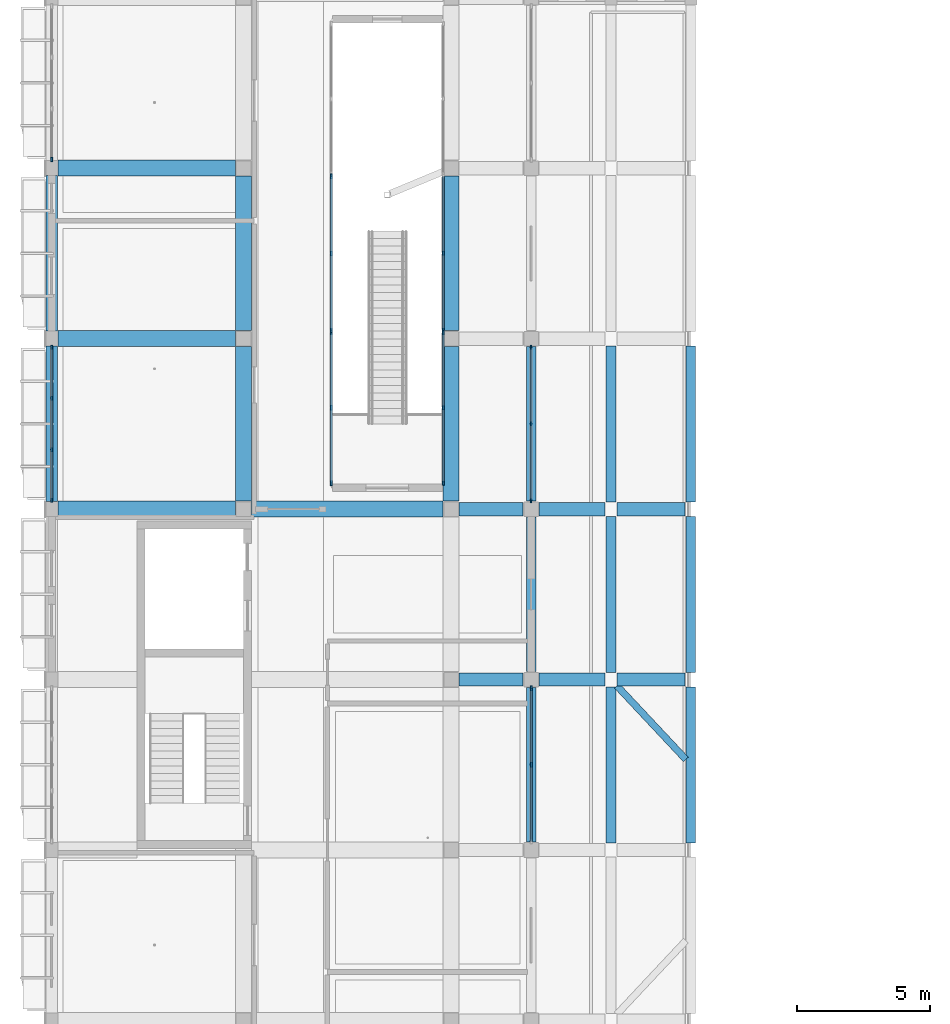
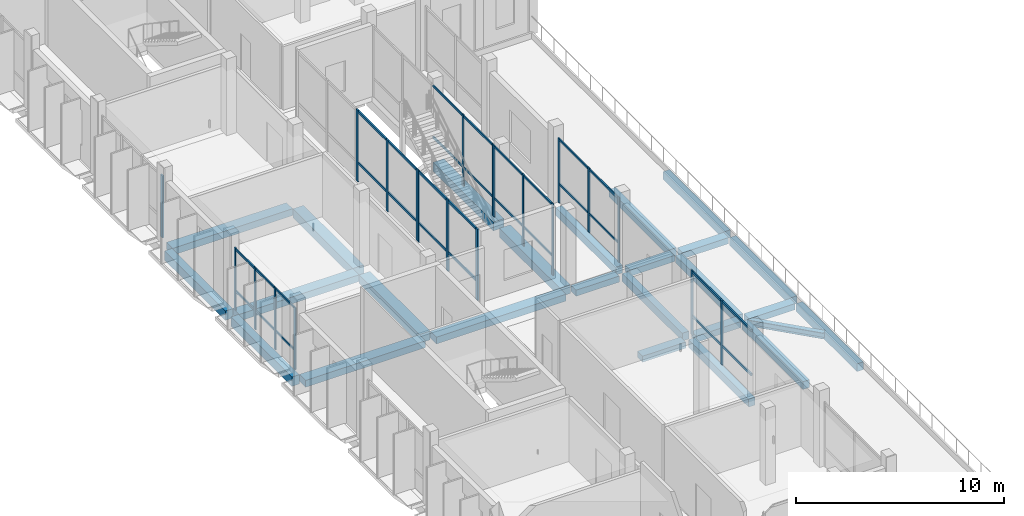
# One storey, part 19 of 95: 35 members, 26 beams, 8 elements without a shape of their own.
"""IFC4 building model written with IfcOpenShell, lengths in metres."""

from ifc_helpers import new_model, si_unit, derived_unit, direction, frame, origin, origin_2d, place, context, subcontext, project, spatial, rectangle, i_section, extrude, material, material_profile, profile_set, type_object, element, aggregate, save


model = new_model("IFC4")

# Units and contexts
model_context = context("Model", 3, precision=1e-05, world=origin(), true_north=direction((0.0, 1.0)))
body_context = subcontext(model_context, "Body", "Model", "MODEL_VIEW")
ifc_project = project(units=[si_unit("LENGTHUNIT", "METRE"), si_unit("AREAUNIT", "SQUARE_METRE"), si_unit("VOLUMEUNIT", "CUBIC_METRE"), si_unit("PLANEANGLEUNIT", "RADIAN"), si_unit("MASSUNIT", "GRAM", prefix="KILO"), derived_unit("THERMALTRANSMITTANCEUNIT", [(si_unit("POWERUNIT", "WATT"), 1), (si_unit("LENGTHUNIT", "METRE"), -2), (si_unit("THERMODYNAMICTEMPERATUREUNIT", "KELVIN"), -1)])], contexts=[model_context])

# Site, building, storey
site_placement = place(None, origin())
site = spatial("IfcSite", under=ifc_project, at=site_placement, CompositionType="ELEMENT")
building_placement = place(site_placement, origin())
building = spatial("IfcBuilding", under=site, at=building_placement, Name="Braskholm Square Health Centre", CompositionType="ELEMENT")
storey_placement = place(building_placement, frame((0.0, 0.0, 4.800048828125)))
storey = spatial("IfcBuildingStorey", under=building, at=storey_placement, Name="L02", CompositionType="ELEMENT", Elevation=4.800048828125)

# Curtain wall, members
ifc_material_1 = material(Name="Low-E triple insulating glass (VLT 0.64)", Category="glass")
curtain_wall_type_1 = type_object("IfcCurtainWallType", Name="UnitisedCurtainWall6200x3650", PredefinedType="NOTDEFINED", material=ifc_material_1)
curtain_wall_1_placement = place(storey_placement, origin())
curtain_wall_1 = element("IfcCurtainWall", 1, at=curtain_wall_1_placement, inside=storey, type_object=curtain_wall_type_1, Name="West Outer unitised curtain wall CW-L02-0008", PredefinedType="NOTDEFINED")
ifc_material_2 = material(Name="Architectural bronze anodised aluminium", Category="aluminium")
ifc_material_profile_1 = material_profile(ifc_material_2, rectangle(XDim=0.06494140625, YDim=0.14990234375, at=origin_2d()), Name="ALU-65X150")
ifc_profile_set_1 = profile_set([ifc_material_profile_1], Name="Architectural bronze anodised aluminium")
member_type_1 = type_object("IfcMemberType", Name="CurtainWallMullion65x150", PredefinedType="MULLION", material=ifc_profile_set_1)
member_1_placement = place(storey_placement, frame((4.199951171875, 35.875, 0.0), z_axis=(0.0, 0.0, 1.0), x_axis=(1.0, 0.0, 0.0)))
member_1 = element("IfcMember", 2, at=member_1_placement, type_object=member_type_1, Name="CW-L02-0008 vertical mullion 1", PredefinedType="MULLION", context=body_context, shape_type="SweptSolid", body=[
    extrude(rectangle(XDim=0.06494140625, YDim=0.14990234375, at=origin_2d()), origin(), (0.0, 0.0, 1.0), 3.64990234375),
])
member_2_placement = place(storey_placement, frame((4.199951171875, 33.969970703125, 0.0), z_axis=(0.0, 0.0, 1.0), x_axis=(1.0, 0.0, 0.0)))
member_2 = element("IfcMember", 3, at=member_2_placement, type_object=member_type_1, Name="CW-L02-0008 vertical mullion 2", PredefinedType="MULLION", context=body_context, shape_type="SweptSolid", body=[
    extrude(rectangle(XDim=0.06494140625, YDim=0.14990234375, at=origin_2d()), origin(), (0.0, 0.0, 1.0), 3.64990234375),
])
member_3_placement = place(storey_placement, frame((4.199951171875, 32.030029296875, 0.0), z_axis=(0.0, 0.0, 1.0), x_axis=(1.0, 0.0, 0.0)))
member_3 = element("IfcMember", 4, at=member_3_placement, type_object=member_type_1, Name="CW-L02-0008 vertical mullion 3", PredefinedType="MULLION", context=body_context, shape_type="SweptSolid", body=[
    extrude(rectangle(XDim=0.06494140625, YDim=0.14990234375, at=origin_2d()), origin(), (0.0, 0.0, 1.0), 3.64990234375),
])
member_4_placement = place(storey_placement, frame((4.199951171875, 30.125, 0.0), z_axis=(0.0, 0.0, 1.0), x_axis=(1.0, 0.0, 0.0)))
member_4 = element("IfcMember", 5, at=member_4_placement, type_object=member_type_1, Name="CW-L02-0008 vertical mullion 4", PredefinedType="MULLION", context=body_context, shape_type="SweptSolid", body=[
    extrude(rectangle(XDim=0.06494140625, YDim=0.14990234375, at=origin_2d()), origin(), (0.0, 0.0, 1.0), 3.64990234375),
])

curtain_wall_type_2 = type_object("IfcCurtainWallType", Name="UnitisedCurtainWall6200x3800", PredefinedType="NOTDEFINED", material=ifc_material_1)
curtain_wall_2_placement = place(storey_placement, origin())
curtain_wall_2 = element("IfcCurtainWall", 6, at=curtain_wall_2_placement, inside=storey, type_object=curtain_wall_type_2, Name="West Valley unitised curtain wall CW-L02-0086", PredefinedType="NOTDEFINED")
member_5_placement = place(storey_placement, frame((22.199951171875, 30.1201171875, 0.0), z_axis=(0.0, 0.0, 1.0), x_axis=(1.0, 0.0, 0.0)))
member_5 = element("IfcMember", 7, at=member_5_placement, type_object=member_type_1, Name="CW-L02-0086 vertical mullion 1", PredefinedType="MULLION", context=body_context, shape_type="SweptSolid", body=[
    extrude(rectangle(XDim=0.06494140625, YDim=0.14990234375, at=origin_2d()), origin(), (0.0, 0.0, 1.0), 3.7900390625),
])
member_6_placement = place(storey_placement, frame((22.199951171875, 33.0, 0.0), z_axis=(0.0, 0.0, 1.0), x_axis=(1.0, 0.0, 0.0)))
member_6 = element("IfcMember", 8, at=member_6_placement, type_object=member_type_1, Name="CW-L02-0086 vertical mullion 2", PredefinedType="MULLION", context=body_context, shape_type="SweptSolid", body=[
    extrude(rectangle(XDim=0.06494140625, YDim=0.14990234375, at=origin_2d()), origin(), (0.0, 0.0, 1.0), 3.7900390625),
])
member_7_placement = place(storey_placement, frame((22.199951171875, 35.8798828125, 0.0), z_axis=(0.0, 0.0, 1.0), x_axis=(1.0, 0.0, 0.0)))
member_7 = element("IfcMember", 9, at=member_7_placement, type_object=member_type_1, Name="CW-L02-0086 vertical mullion 3", PredefinedType="MULLION", context=body_context, shape_type="SweptSolid", body=[
    extrude(rectangle(XDim=0.06494140625, YDim=0.14990234375, at=origin_2d()), origin(), (0.0, 0.0, 1.0), 3.7900390625),
])

curtain_wall_type_3 = type_object("IfcCurtainWallType", Name="UnitisedCurtainWall5400x4100", PredefinedType="NOTDEFINED", material=ifc_material_1)
curtain_wall_3_placement = place(storey_placement, origin())
curtain_wall_3 = element("IfcCurtainWall", 10, at=curtain_wall_3_placement, inside=storey, type_object=curtain_wall_type_3, Name="WC1 Court E unitised curtain wall CW-L02-0256", PredefinedType="NOTDEFINED")
member_8_placement = place(storey_placement, frame((18.89990234375, 36.427734375, 0.0), z_axis=(0.0, 0.0, 1.0), x_axis=(1.0, 0.0, 0.0)))
member_8 = element("IfcMember", 11, at=member_8_placement, type_object=member_type_1, Name="CW-L02-0256 vertical mullion 1", PredefinedType="MULLION", context=body_context, shape_type="SweptSolid", body=[
    extrude(rectangle(XDim=0.06494140625, YDim=0.14990234375, at=origin_2d()), origin(), (0.0, 0.0, 1.0), 4.199951171875),
])
member_9_placement = place(storey_placement, frame((18.89990234375, 33.60107421875, 0.0), z_axis=(0.0, 0.0, 1.0), x_axis=(1.0, 0.0, 0.0)))
member_9 = element("IfcMember", 12, at=member_9_placement, type_object=member_type_1, Name="CW-L02-0256 vertical mullion 2", PredefinedType="MULLION", context=body_context, shape_type="SweptSolid", body=[
    extrude(rectangle(XDim=0.06494140625, YDim=0.14990234375, at=origin_2d()), origin(), (0.0, 0.0, 1.0), 4.199951171875),
])
member_10_placement = place(storey_placement, frame((18.89990234375, 30.7744140625, 0.0), z_axis=(0.0, 0.0, 1.0), x_axis=(1.0, 0.0, 0.0)))
member_10 = element("IfcMember", 13, at=member_10_placement, type_object=member_type_1, Name="CW-L02-0256 vertical mullion 3", PredefinedType="MULLION", context=body_context, shape_type="SweptSolid", body=[
    extrude(rectangle(XDim=0.06494140625, YDim=0.14990234375, at=origin_2d()), origin(), (0.0, 0.0, 1.0), 4.199951171875),
])

curtain_wall_type_4 = type_object("IfcCurtainWallType", Name="UnitisedCurtainWall6200x4100", PredefinedType="NOTDEFINED", material=ifc_material_1)
curtain_wall_4_placement = place(storey_placement, origin())
curtain_wall_4 = element("IfcCurtainWall", 14, at=curtain_wall_4_placement, inside=storey, type_object=curtain_wall_type_4, Name="WC1 Court E unitised curtain wall CW-L02-0258", PredefinedType="NOTDEFINED")
member_11_placement = place(storey_placement, frame((18.89990234375, 39.39990234375, 0.0), z_axis=(0.0, 0.0, 1.0), x_axis=(1.0, 0.0, 0.0)))
member_11 = element("IfcMember", 15, at=member_11_placement, type_object=member_type_1, Name="CW-L02-0258 vertical mullion 2", PredefinedType="MULLION", context=body_context, shape_type="SweptSolid", body=[
    extrude(rectangle(XDim=0.06494140625, YDim=0.14990234375, at=origin_2d()), origin(), (0.0, 0.0, 1.0), 4.199951171875),
])
member_12_placement = place(storey_placement, frame((18.89990234375, 36.507080078125, 0.0), z_axis=(0.0, 0.0, 1.0), x_axis=(1.0, 0.0, 0.0)))
member_12 = element("IfcMember", 16, at=member_12_placement, type_object=member_type_1, Name="CW-L02-0258 vertical mullion 3", PredefinedType="MULLION", context=body_context, shape_type="SweptSolid", body=[
    extrude(rectangle(XDim=0.06494140625, YDim=0.14990234375, at=origin_2d()), origin(), (0.0, 0.0, 1.0), 4.199951171875),
])

# Curtain wall, member
curtain_wall_5_placement = place(storey_placement, origin())
curtain_wall_5 = element("IfcCurtainWall", 17, at=curtain_wall_5_placement, inside=storey, type_object=curtain_wall_type_1, Name="West Outer unitised curtain wall CW-L02-0009", PredefinedType="NOTDEFINED")
ifc_material_profile_2 = material_profile(ifc_material_2, rectangle(XDim=0.074951171875, YDim=0.179931640625, at=origin_2d()), Name="ALU-75X180")
ifc_profile_set_2 = profile_set([ifc_material_profile_2], Name="Architectural bronze anodised aluminium")
member_type_2 = type_object("IfcMemberType", Name="CurtainWallMullion75x180", PredefinedType="MULLION", material=ifc_profile_set_2)
member_13_placement = place(storey_placement, frame((4.199951171875, 42.9248046875, 0.0), z_axis=(0.0, 0.0, 1.0), x_axis=(1.0, 0.0, 0.0)))
member_13 = element("IfcMember", 18, at=member_13_placement, type_object=member_type_2, Name="CW-L02-0009 vertical mullion 4", PredefinedType="MULLION", context=body_context, shape_type="SweptSolid", body=[
    extrude(rectangle(XDim=0.074951171875, YDim=0.179931640625, at=origin_2d()), origin(), (0.0, 0.0, 1.0), 3.64990234375),
])
aggregate(curtain_wall_5, [member_13])

# Curtain wall, members
curtain_wall_6_placement = place(storey_placement, origin())
curtain_wall_6 = element("IfcCurtainWall", 19, at=curtain_wall_6_placement, inside=storey, type_object=curtain_wall_type_2, Name="West Valley unitised curtain wall CW-L02-0085", PredefinedType="NOTDEFINED")
member_14_placement = place(storey_placement, frame((22.199951171875, 20.199951171875, 0.0), z_axis=(0.0, 0.0, 1.0), x_axis=(1.0, 0.0, 0.0)))
member_14 = element("IfcMember", 20, at=member_14_placement, type_object=member_type_2, Name="CW-L02-0085 vertical mullion 2", PredefinedType="MULLION", context=body_context, shape_type="SweptSolid", body=[
    extrude(rectangle(XDim=0.074951171875, YDim=0.179931640625, at=origin_2d()), origin(), (0.0, 0.0, 1.0), 3.7900390625),
])
member_15_placement = place(storey_placement, frame((22.199951171875, 23.080078125, 0.0), z_axis=(0.0, 0.0, 1.0), x_axis=(1.0, 0.0, 0.0)))
member_15 = element("IfcMember", 21, at=member_15_placement, type_object=member_type_2, Name="CW-L02-0085 vertical mullion 3", PredefinedType="MULLION", context=body_context, shape_type="SweptSolid", body=[
    extrude(rectangle(XDim=0.074951171875, YDim=0.179931640625, at=origin_2d()), origin(), (0.0, 0.0, 1.0), 3.7900390625),
])

curtain_wall_7_placement = place(storey_placement, origin())
curtain_wall_7 = element("IfcCurtainWall", 22, at=curtain_wall_7_placement, inside=storey, type_object=curtain_wall_type_3, Name="WC1 Court W unitised curtain wall CW-L02-0255", PredefinedType="NOTDEFINED")
member_16_placement = place(storey_placement, frame((14.699951171875, 30.7744140625, 0.0), z_axis=(0.0, 0.0, 1.0), x_axis=(1.0, 0.0, 0.0)))
member_16 = element("IfcMember", 23, at=member_16_placement, type_object=member_type_2, Name="CW-L02-0255 vertical mullion 1", PredefinedType="MULLION", context=body_context, shape_type="SweptSolid", body=[
    extrude(rectangle(XDim=0.074951171875, YDim=0.179931640625, at=origin_2d()), origin(), (0.0, 0.0, 1.0), 4.199951171875),
])
member_17_placement = place(storey_placement, frame((14.699951171875, 33.60107421875, 0.0), z_axis=(0.0, 0.0, 1.0), x_axis=(1.0, 0.0, 0.0)))
member_17 = element("IfcMember", 24, at=member_17_placement, type_object=member_type_2, Name="CW-L02-0255 vertical mullion 2", PredefinedType="MULLION", context=body_context, shape_type="SweptSolid", body=[
    extrude(rectangle(XDim=0.074951171875, YDim=0.179931640625, at=origin_2d()), origin(), (0.0, 0.0, 1.0), 4.199951171875),
])
member_18_placement = place(storey_placement, frame((14.699951171875, 36.427734375, 0.0), z_axis=(0.0, 0.0, 1.0), x_axis=(1.0, 0.0, 0.0)))
member_18 = element("IfcMember", 25, at=member_18_placement, type_object=member_type_2, Name="CW-L02-0255 vertical mullion 3", PredefinedType="MULLION", context=body_context, shape_type="SweptSolid", body=[
    extrude(rectangle(XDim=0.074951171875, YDim=0.179931640625, at=origin_2d()), origin(), (0.0, 0.0, 1.0), 4.199951171875),
])

curtain_wall_8_placement = place(storey_placement, origin())
curtain_wall_8 = element("IfcCurtainWall", 26, at=curtain_wall_8_placement, inside=storey, type_object=curtain_wall_type_4, Name="WC1 Court W unitised curtain wall CW-L02-0257", PredefinedType="NOTDEFINED")
member_19_placement = place(storey_placement, frame((14.699951171875, 36.507080078125, 0.0), z_axis=(0.0, 0.0, 1.0), x_axis=(1.0, 0.0, 0.0)))
member_19 = element("IfcMember", 27, at=member_19_placement, type_object=member_type_2, Name="CW-L02-0257 vertical mullion 1", PredefinedType="MULLION", context=body_context, shape_type="SweptSolid", body=[
    extrude(rectangle(XDim=0.074951171875, YDim=0.179931640625, at=origin_2d()), origin(), (0.0, 0.0, 1.0), 4.199951171875),
])
member_20_placement = place(storey_placement, frame((14.699951171875, 39.39990234375, 0.0), z_axis=(0.0, 0.0, 1.0), x_axis=(1.0, 0.0, 0.0)))
member_20 = element("IfcMember", 28, at=member_20_placement, type_object=member_type_2, Name="CW-L02-0257 vertical mullion 2", PredefinedType="MULLION", context=body_context, shape_type="SweptSolid", body=[
    extrude(rectangle(XDim=0.074951171875, YDim=0.179931640625, at=origin_2d()), origin(), (0.0, 0.0, 1.0), 4.199951171875),
])
member_21_placement = place(storey_placement, frame((14.699951171875, 42.29296875, 0.0), z_axis=(0.0, 0.0, 1.0), x_axis=(1.0, 0.0, 0.0)))
member_21 = element("IfcMember", 29, at=member_21_placement, type_object=member_type_2, Name="CW-L02-0257 vertical mullion 3", PredefinedType="MULLION", context=body_context, shape_type="SweptSolid", body=[
    extrude(rectangle(XDim=0.074951171875, YDim=0.179931640625, at=origin_2d()), origin(), (0.0, 0.0, 1.0), 4.199951171875),
])

# Member
ifc_material_profile_3 = material_profile(ifc_material_2, rectangle(XDim=0.06494140625, YDim=0.1201171875, at=origin_2d()), Name="ALU-65X120")
ifc_profile_set_3 = profile_set([ifc_material_profile_3], Name="Architectural bronze anodised aluminium")
member_type_3 = type_object("IfcMemberType", Name="CurtainWallTransom65x120", PredefinedType="USERDEFINED", material=ifc_profile_set_3)
member_22_placement = place(storey_placement, frame((4.199951171875, 35.864990234375, 1.119873046875), z_axis=(0.0, -1.0, 0.0), x_axis=(1.0, 0.0, 0.0)))
member_22 = element("IfcMember", 30, at=member_22_placement, type_object=member_type_3, Name="CW-L02-0008 horizontal transom 1", ObjectType="TRANSOM", PredefinedType="USERDEFINED", context=body_context, shape_type="SweptSolid", body=[
    extrude(rectangle(XDim=0.06494140625, YDim=0.1201171875, at=origin_2d()), origin(), (0.0, 0.0, 1.0), 5.72998046875),
])

member_23_placement = place(storey_placement, frame((4.199951171875, 35.864990234375, 3.579833984375), z_axis=(0.0, -1.0, 0.0), x_axis=(1.0, 0.0, 0.0)))
member_23 = element("IfcMember", 31, at=member_23_placement, type_object=member_type_3, Name="CW-L02-0008 horizontal transom 2", ObjectType="TRANSOM", PredefinedType="USERDEFINED", context=body_context, shape_type="SweptSolid", body=[
    extrude(rectangle(XDim=0.06494140625, YDim=0.1201171875, at=origin_2d()), origin(), (0.0, 0.0, 1.0), 5.72998046875),
])

aggregate(curtain_wall_1, [member_1, member_2, member_3, member_4, member_22, member_23])

member_24_placement = place(storey_placement, frame((22.199951171875, 30.1298828125, 1.119873046875), z_axis=(0.0, 1.0, 0.0), x_axis=(-1.0, 0.0, 0.0)))
member_24 = element("IfcMember", 32, at=member_24_placement, type_object=member_type_3, Name="CW-L02-0086 horizontal transom 1", ObjectType="TRANSOM", PredefinedType="USERDEFINED", context=body_context, shape_type="SweptSolid", body=[
    extrude(rectangle(XDim=0.06494140625, YDim=0.1201171875, at=origin_2d()), origin(), (0.0, 0.0, 1.0), 5.740234375),
])

member_25_placement = place(storey_placement, frame((22.199951171875, 30.1298828125, 3.719970703125), z_axis=(0.0, 1.0, 0.0), x_axis=(-1.0, 0.0, 0.0)))
member_25 = element("IfcMember", 33, at=member_25_placement, type_object=member_type_3, Name="CW-L02-0086 horizontal transom 2", ObjectType="TRANSOM", PredefinedType="USERDEFINED", context=body_context, shape_type="SweptSolid", body=[
    extrude(rectangle(XDim=0.06494140625, YDim=0.1201171875, at=origin_2d()), origin(), (0.0, 0.0, 1.0), 5.740234375),
])

aggregate(curtain_wall_2, [member_5, member_6, member_7, member_24, member_25])

member_26_placement = place(storey_placement, frame((18.89990234375, 36.4169921875, 1.119873046875), z_axis=(0.0, -1.0, 0.0), x_axis=(1.0, 0.0, 0.0)))
member_26 = element("IfcMember", 34, at=member_26_placement, type_object=member_type_3, Name="CW-L02-0256 horizontal transom 1", ObjectType="TRANSOM", PredefinedType="USERDEFINED", context=body_context, shape_type="SweptSolid", body=[
    extrude(rectangle(XDim=0.06494140625, YDim=0.1201171875, at=origin_2d()), origin(), (0.0, 0.0, 1.0), 5.632080078125),
])

member_27_placement = place(storey_placement, frame((18.89990234375, 36.4169921875, 4.1298828125), z_axis=(0.0, -1.0, 0.0), x_axis=(1.0, 0.0, 0.0)))
member_27 = element("IfcMember", 35, at=member_27_placement, type_object=member_type_3, Name="CW-L02-0256 horizontal transom 2", ObjectType="TRANSOM", PredefinedType="USERDEFINED", context=body_context, shape_type="SweptSolid", body=[
    extrude(rectangle(XDim=0.06494140625, YDim=0.1201171875, at=origin_2d()), origin(), (0.0, 0.0, 1.0), 5.632080078125),
])

aggregate(curtain_wall_3, [member_8, member_9, member_10, member_26, member_27])

member_28_placement = place(storey_placement, frame((18.89990234375, 42.282958984375, 1.119873046875), z_axis=(0.0, -1.0, 0.0), x_axis=(1.0, 0.0, 0.0)))
member_28 = element("IfcMember", 36, at=member_28_placement, type_object=member_type_3, Name="CW-L02-0258 horizontal transom 1", ObjectType="TRANSOM", PredefinedType="USERDEFINED", context=body_context, shape_type="SweptSolid", body=[
    extrude(rectangle(XDim=0.06494140625, YDim=0.1201171875, at=origin_2d()), origin(), (0.0, 0.0, 1.0), 5.765869140625),
])

member_29_placement = place(storey_placement, frame((18.89990234375, 42.282958984375, 4.1298828125), z_axis=(0.0, -1.0, 0.0), x_axis=(1.0, 0.0, 0.0)))
member_29 = element("IfcMember", 37, at=member_29_placement, type_object=member_type_3, Name="CW-L02-0258 horizontal transom 2", ObjectType="TRANSOM", PredefinedType="USERDEFINED", context=body_context, shape_type="SweptSolid", body=[
    extrude(rectangle(XDim=0.06494140625, YDim=0.1201171875, at=origin_2d()), origin(), (0.0, 0.0, 1.0), 5.765869140625),
])

aggregate(curtain_wall_4, [member_11, member_12, member_28, member_29])

ifc_material_profile_4 = material_profile(ifc_material_2, rectangle(XDim=0.074951171875, YDim=0.139892578125, at=origin_2d()), Name="ALU-75X140")
ifc_profile_set_4 = profile_set([ifc_material_profile_4], Name="Architectural bronze anodised aluminium")
member_type_4 = type_object("IfcMemberType", Name="CurtainWallTransom75x140", PredefinedType="USERDEFINED", material=ifc_profile_set_4)
member_30_placement = place(storey_placement, frame((22.199951171875, 17.330078125, 1.119873046875), z_axis=(0.0, 1.0, 0.0), x_axis=(-1.0, 0.0, 0.0)))
member_30 = element("IfcMember", 38, at=member_30_placement, type_object=member_type_4, Name="CW-L02-0085 horizontal transom 1", ObjectType="TRANSOM", PredefinedType="USERDEFINED", context=body_context, shape_type="SweptSolid", body=[
    extrude(rectangle(XDim=0.074951171875, YDim=0.139892578125, at=origin_2d()), origin(), (0.0, 0.0, 1.0), 5.739990234375),
])

member_31_placement = place(storey_placement, frame((22.199951171875, 17.330078125, 3.719970703125), z_axis=(0.0, 1.0, 0.0), x_axis=(-1.0, 0.0, 0.0)))
member_31 = element("IfcMember", 39, at=member_31_placement, type_object=member_type_4, Name="CW-L02-0085 horizontal transom 2", ObjectType="TRANSOM", PredefinedType="USERDEFINED", context=body_context, shape_type="SweptSolid", body=[
    extrude(rectangle(XDim=0.074951171875, YDim=0.139892578125, at=origin_2d()), origin(), (0.0, 0.0, 1.0), 5.739990234375),
])

aggregate(curtain_wall_6, [member_14, member_15, member_30, member_31])

member_32_placement = place(storey_placement, frame((14.699951171875, 30.784912109375, 1.119873046875), z_axis=(0.0, 1.0, 0.0), x_axis=(-1.0, 0.0, 0.0)))
member_32 = element("IfcMember", 40, at=member_32_placement, type_object=member_type_4, Name="CW-L02-0255 horizontal transom 1", ObjectType="TRANSOM", PredefinedType="USERDEFINED", context=body_context, shape_type="SweptSolid", body=[
    extrude(rectangle(XDim=0.074951171875, YDim=0.139892578125, at=origin_2d()), origin(), (0.0, 0.0, 1.0), 5.632080078125),
])

member_33_placement = place(storey_placement, frame((14.699951171875, 30.784912109375, 4.1298828125), z_axis=(0.0, 1.0, 0.0), x_axis=(-1.0, 0.0, 0.0)))
member_33 = element("IfcMember", 41, at=member_33_placement, type_object=member_type_4, Name="CW-L02-0255 horizontal transom 2", ObjectType="TRANSOM", PredefinedType="USERDEFINED", context=body_context, shape_type="SweptSolid", body=[
    extrude(rectangle(XDim=0.074951171875, YDim=0.139892578125, at=origin_2d()), origin(), (0.0, 0.0, 1.0), 5.632080078125),
])

aggregate(curtain_wall_7, [member_16, member_17, member_18, member_32, member_33])

member_34_placement = place(storey_placement, frame((14.699951171875, 36.51708984375, 1.119873046875), z_axis=(0.0, 1.0, 0.0), x_axis=(-1.0, 0.0, 0.0)))
member_34 = element("IfcMember", 42, at=member_34_placement, type_object=member_type_4, Name="CW-L02-0257 horizontal transom 1", ObjectType="TRANSOM", PredefinedType="USERDEFINED", context=body_context, shape_type="SweptSolid", body=[
    extrude(rectangle(XDim=0.074951171875, YDim=0.139892578125, at=origin_2d()), origin(), (0.0, 0.0, 1.0), 5.765869140625),
])

member_35_placement = place(storey_placement, frame((14.699951171875, 36.51708984375, 4.1298828125), z_axis=(0.0, 1.0, 0.0), x_axis=(-1.0, 0.0, 0.0)))
member_35 = element("IfcMember", 43, at=member_35_placement, type_object=member_type_4, Name="CW-L02-0257 horizontal transom 2", ObjectType="TRANSOM", PredefinedType="USERDEFINED", context=body_context, shape_type="SweptSolid", body=[
    extrude(rectangle(XDim=0.074951171875, YDim=0.139892578125, at=origin_2d()), origin(), (0.0, 0.0, 1.0), 5.765869140625),
])

aggregate(curtain_wall_8, [member_19, member_20, member_21, member_34, member_35])

# Beams
ifc_material_3 = material(Name="Concrete C35/45 (f'c = 35 MPa)", Category="concrete")
ifc_material_profile_5 = material_profile(ifc_material_3, rectangle(XDim=0.5, YDim=0.360107421875, at=origin_2d()), Name="RCB-500X360")
ifc_profile_set_5 = profile_set([ifc_material_profile_5], Name="Concrete C35/45 (f'c = 35 MPa)")
beam_type_1 = type_object("IfcBeamType", Name="PrimaryBandBeam500x360", PredefinedType="BEAM", material=ifc_profile_set_5)
beam_1_placement = place(storey_placement, frame((19.5, 23.39990234375, -0.56005859375), z_axis=(1.0, 0.0, 0.0), x_axis=(0.0, 1.0, 0.0)))
element("IfcBeam", 44, at=beam_1_placement, inside=storey, type_object=beam_type_1, Name="Beam 3-4/D L02", PredefinedType="BEAM", context=body_context, shape_type="SweptSolid", body=[
    extrude(rectangle(XDim=0.5, YDim=0.360107421875, at=origin_2d()), origin(), (0.0, 0.0, 1.0), 2.39990234375),
])
beam_2_placement = place(storey_placement, frame((22.5, 23.39990234375, -0.429931640625), z_axis=(1.0, 0.0, 0.0), x_axis=(0.0, 1.0, 0.0)))
element("IfcBeam", 45, at=beam_2_placement, inside=storey, type_object=beam_type_1, Name="Beam 4-5/D L02", PredefinedType="BEAM", context=body_context, shape_type="SweptSolid", body=[
    extrude(rectangle(XDim=0.5, YDim=0.360107421875, at=origin_2d()), origin(), (0.0, 0.0, 1.0), 2.47998046875),
])
beam_3_placement = place(storey_placement, frame((25.419921875, 23.39990234375, -0.429931640625), z_axis=(1.0, 0.0, 0.0), x_axis=(0.0, 1.0, 0.0)))
element("IfcBeam", 46, at=beam_3_placement, inside=storey, type_object=beam_type_1, Name="Beam 5-6/D L02", PredefinedType="BEAM", context=body_context, shape_type="SweptSolid", body=[
    extrude(rectangle(XDim=0.5, YDim=0.360107421875, at=origin_2d()), origin(), (0.0, 0.0, 1.0), 2.56005859375),
])
beam_4_placement = place(storey_placement, frame((19.5, 29.800048828125, -0.56005859375), z_axis=(1.0, 0.0, 0.0), x_axis=(0.0, 1.0, 0.0)))
element("IfcBeam", 47, at=beam_4_placement, inside=storey, type_object=beam_type_1, Name="Beam 3-4/E L02", PredefinedType="BEAM", context=body_context, shape_type="SweptSolid", body=[
    extrude(rectangle(XDim=0.5, YDim=0.360107421875, at=origin_2d()), origin(), (0.0, 0.0, 1.0), 2.39990234375),
])
beam_5_placement = place(storey_placement, frame((22.5, 29.800048828125, -0.429931640625), z_axis=(1.0, 0.0, 0.0), x_axis=(0.0, 1.0, 0.0)))
element("IfcBeam", 48, at=beam_5_placement, inside=storey, type_object=beam_type_1, Name="Beam 4-5/E L02", PredefinedType="BEAM", context=body_context, shape_type="SweptSolid", body=[
    extrude(rectangle(XDim=0.5, YDim=0.360107421875, at=origin_2d()), origin(), (0.0, 0.0, 1.0), 2.47998046875),
])
beam_6_placement = place(storey_placement, frame((25.419921875, 29.800048828125, -0.429931640625), z_axis=(1.0, 0.0, 0.0), x_axis=(0.0, 1.0, 0.0)))
element("IfcBeam", 49, at=beam_6_placement, inside=storey, type_object=beam_type_1, Name="Beam 5-6/E L02", PredefinedType="BEAM", context=body_context, shape_type="SweptSolid", body=[
    extrude(rectangle(XDim=0.5, YDim=0.360107421875, at=origin_2d()), origin(), (0.0, 0.0, 1.0), 2.56005859375),
])
ifc_material_profile_6 = material_profile(ifc_material_3, rectangle(XDim=0.60009765625, YDim=0.39990234375, at=origin_2d()), Name="RCB-600X400")
ifc_profile_set_6 = profile_set([ifc_material_profile_6], Name="Concrete C35/45 (f'c = 35 MPa)")
beam_type_2 = type_object("IfcBeamType", Name="PrimaryBandBeam600x400", PredefinedType="BEAM", material=ifc_profile_set_6)
beam_7_placement = place(storey_placement, frame((4.429931640625, 29.800048828125, -0.580078125), z_axis=(1.0, 0.0, 0.0), x_axis=(0.0, 1.0, 0.0)))
element("IfcBeam", 50, at=beam_7_placement, inside=storey, type_object=beam_type_2, Name="Beam 1-2/E L02", PredefinedType="BEAM", context=body_context, shape_type="SweptSolid", body=[
    extrude(rectangle(XDim=0.60009765625, YDim=0.39990234375, at=origin_2d()), origin(), (0.0, 0.0, 1.0), 6.670166015625),
])
beam_8_placement = place(storey_placement, frame((11.699951171875, 29.800048828125, -0.580078125), z_axis=(1.0, 0.0, 0.0), x_axis=(0.0, 1.0, 0.0)))
element("IfcBeam", 51, at=beam_8_placement, inside=storey, type_object=beam_type_2, Name="Beam 2-3/E L02", PredefinedType="BEAM", context=body_context, shape_type="SweptSolid", body=[
    extrude(rectangle(XDim=0.60009765625, YDim=0.39990234375, at=origin_2d()), origin(), (0.0, 0.0, 1.0), 7.199951171875),
])
for number, where, z_axis, x_axis, name in (
    (52, (4.429931640625, 36.199951171875, -0.580078125), (1.0, 0.0, 0.0), (0.0, 1.0, 0.0), "Beam 1-2/F L02"),
    (53, (4.429931640625, 42.60009765625, -0.580078125), (1.0, 0.0, 0.0), (0.0, 1.0, 0.0), "Beam 1-2/G L02"),
):
    element("IfcBeam", number, at=place(storey_placement, frame(where, z_axis=z_axis, x_axis=x_axis)), inside=storey, type_object=beam_type_2, Name=name, PredefinedType="BEAM", context=body_context, shape_type="SweptSolid", body=[
        extrude(rectangle(XDim=0.60009765625, YDim=0.39990234375, at=origin_2d()), origin(), (0.0, 0.0, 1.0), 6.670166015625),
    ])
ifc_material_4 = material(Name="Concrete C40/50 (f'c = 40 MPa)", Category="concrete")
ifc_material_profile_7 = material_profile(ifc_material_4, rectangle(XDim=0.60009765625, YDim=0.52001953125, at=origin_2d()), Name="RCB-600X520")
ifc_profile_set_7 = profile_set([ifc_material_profile_7], Name="Concrete C40/50 (f'c = 40 MPa)")
beam_type_3 = type_object("IfcBeamType", Name="PrimaryGirderSurgery600x520", PredefinedType="BEAM", material=ifc_profile_set_7)
beam_9_placement = place(storey_placement, frame((11.39990234375, 30.10009765625, -0.64013671875), z_axis=(0.0, 1.0, 0.0), x_axis=(-1.0, 0.0, 0.0)))
element("IfcBeam", 54, at=beam_9_placement, inside=storey, type_object=beam_type_3, Name="Beam 2/E-F L02", PredefinedType="BEAM", context=body_context, shape_type="SweptSolid", body=[
    extrude(rectangle(XDim=0.60009765625, YDim=0.52001953125, at=origin_2d()), origin(), (0.0, 0.0, 1.0), 5.7998046875),
])
beam_10_placement = place(storey_placement, frame((11.39990234375, 36.5, -0.64013671875), z_axis=(0.0, 1.0, 0.0), x_axis=(-1.0, 0.0, 0.0)))
element("IfcBeam", 55, at=beam_10_placement, inside=storey, type_object=beam_type_3, Name="Beam 2/F-G L02", PredefinedType="BEAM", context=body_context, shape_type="SweptSolid", body=[
    extrude(rectangle(XDim=0.60009765625, YDim=0.52001953125, at=origin_2d()), origin(), (0.0, 0.0, 1.0), 5.800048828125),
])
beam_11_placement = place(storey_placement, frame((19.199951171875, 30.10009765625, -0.64013671875), z_axis=(0.0, 1.0, 0.0), x_axis=(-1.0, 0.0, 0.0)))
element("IfcBeam", 56, at=beam_11_placement, inside=storey, type_object=beam_type_3, Name="Beam 3/E-F L02", PredefinedType="BEAM", context=body_context, shape_type="SweptSolid", body=[
    extrude(rectangle(XDim=0.60009765625, YDim=0.52001953125, at=origin_2d()), origin(), (0.0, 0.0, 1.0), 5.7998046875),
])
beam_12_placement = place(storey_placement, frame((19.199951171875, 36.5, -0.64013671875), z_axis=(0.0, 1.0, 0.0), x_axis=(-1.0, 0.0, 0.0)))
element("IfcBeam", 57, at=beam_12_placement, inside=storey, type_object=beam_type_3, Name="Beam 3/F-G L02", PredefinedType="BEAM", context=body_context, shape_type="SweptSolid", body=[
    extrude(rectangle(XDim=0.60009765625, YDim=0.52001953125, at=origin_2d()), origin(), (0.0, 0.0, 1.0), 5.800048828125),
])
ifc_material_5 = material(Name="Precast concrete C40/50 architectural white", Category="concrete")
ifc_material_profile_8 = material_profile(ifc_material_5, rectangle(XDim=0.419921875, YDim=0.550048828125, at=origin_2d()), Name="RCB-420X550")
ifc_profile_set_8 = profile_set([ifc_material_profile_8], Name="Precast concrete C40/50 architectural white")
beam_type_4 = type_object("IfcBeamType", Name="SpandrelPrecastLedge420x550", PredefinedType="SPANDREL", material=ifc_profile_set_8)
beam_13_placement = place(storey_placement, frame((4.199951171875, 30.080078125, -0.655029296875), z_axis=(0.0, 1.0, 0.0), x_axis=(-1.0, 0.0, 0.0)))
element("IfcBeam", 58, at=beam_13_placement, inside=storey, type_object=beam_type_4, Name="Beam 1/E-F L02", PredefinedType="SPANDREL", context=body_context, shape_type="SweptSolid", body=[
    extrude(rectangle(XDim=0.419921875, YDim=0.550048828125, at=origin_2d()), origin(), (0.0, 0.0, 1.0), 5.83984375),
])
beam_14_placement = place(storey_placement, frame((4.199951171875, 36.47998046875, -0.655029296875), z_axis=(0.0, 1.0, 0.0), x_axis=(-1.0, 0.0, 0.0)))
element("IfcBeam", 59, at=beam_14_placement, inside=storey, type_object=beam_type_4, Name="Beam 1/F-G L02", PredefinedType="SPANDREL", context=body_context, shape_type="SweptSolid", body=[
    extrude(rectangle(XDim=0.419921875, YDim=0.550048828125, at=origin_2d()), origin(), (0.0, 0.0, 1.0), 5.840087890625),
])
ifc_material_profile_9 = material_profile(ifc_material_5, rectangle(XDim=0.360107421875, YDim=0.4599609375, at=origin_2d()), Name="RCB-360X460")
ifc_profile_set_9 = profile_set([ifc_material_profile_9], Name="Precast concrete C40/50 architectural white")
beam_type_5 = type_object("IfcBeamType", Name="SpandrelTerraceEdge360x460", PredefinedType="SPANDREL", material=ifc_profile_set_9)
for number, where, z_axis, x_axis, name in (
    (60, (22.199951171875, 17.300048828125, -0.47998046875), (0.0, 1.0, 0.0), (-1.0, 0.0, 0.0), "Beam 4/C-D L02"),
    (61, (22.199951171875, 23.699951171875, -0.47998046875), (0.0, 1.0, 0.0), (-1.0, 0.0, 0.0), "Beam 4/D-E L02"),
):
    element("IfcBeam", number, at=place(storey_placement, frame(where, z_axis=z_axis, x_axis=x_axis)), inside=storey, type_object=beam_type_5, Name=name, PredefinedType="SPANDREL", context=body_context, shape_type="SweptSolid", body=[
        extrude(rectangle(XDim=0.360107421875, YDim=0.4599609375, at=origin_2d()), origin(), (0.0, 0.0, 1.0), 5.800048828125),
    ])
beam_15_placement = place(storey_placement, frame((22.199951171875, 30.10009765625, -0.47998046875), z_axis=(0.0, 1.0, 0.0), x_axis=(-1.0, 0.0, 0.0)))
element("IfcBeam", 62, at=beam_15_placement, inside=storey, type_object=beam_type_5, Name="Beam 4/E-F L02", PredefinedType="SPANDREL", context=body_context, shape_type="SweptSolid", body=[
    extrude(rectangle(XDim=0.360107421875, YDim=0.4599609375, at=origin_2d()), origin(), (0.0, 0.0, 1.0), 5.7998046875),
])
beam_16_placement = place(storey_placement, frame((25.199951171875, 17.27001953125, -0.47998046875), z_axis=(0.0, 1.0, 0.0), x_axis=(-1.0, 0.0, 0.0)))
element("IfcBeam", 63, at=beam_16_placement, inside=storey, type_object=beam_type_5, Name="Beam 5/C-D L02", PredefinedType="SPANDREL", context=body_context, shape_type="SweptSolid", body=[
    extrude(rectangle(XDim=0.360107421875, YDim=0.4599609375, at=origin_2d()), origin(), (0.0, 0.0, 1.0), 5.85986328125),
])
beam_17_placement = place(storey_placement, frame((25.199951171875, 23.669921875, -0.47998046875), z_axis=(0.0, 1.0, 0.0), x_axis=(-1.0, 0.0, 0.0)))
element("IfcBeam", 64, at=beam_17_placement, inside=storey, type_object=beam_type_5, Name="Beam 5/D-E L02", PredefinedType="SPANDREL", context=body_context, shape_type="SweptSolid", body=[
    extrude(rectangle(XDim=0.360107421875, YDim=0.4599609375, at=origin_2d()), origin(), (0.0, 0.0, 1.0), 5.860107421875),
])
for number, where, z_axis, x_axis, name in (
    (65, (25.199951171875, 30.070068359375, -0.47998046875), (0.0, 1.0, 0.0), (-1.0, 0.0, 0.0), "Beam 5/E-F L02"),
    (66, (28.199951171875, 17.27001953125, -0.47998046875), (0.0, 1.0, 0.0), (-1.0, 0.0, 0.0), "Beam 6/C-D L02"),
):
    element("IfcBeam", number, at=place(storey_placement, frame(where, z_axis=z_axis, x_axis=x_axis)), inside=storey, type_object=beam_type_5, Name=name, PredefinedType="SPANDREL", context=body_context, shape_type="SweptSolid", body=[
        extrude(rectangle(XDim=0.360107421875, YDim=0.4599609375, at=origin_2d()), origin(), (0.0, 0.0, 1.0), 5.85986328125),
    ])
beam_18_placement = place(storey_placement, frame((28.199951171875, 23.669921875, -0.47998046875), z_axis=(0.0, 1.0, 0.0), x_axis=(-1.0, 0.0, 0.0)))
element("IfcBeam", 67, at=beam_18_placement, inside=storey, type_object=beam_type_5, Name="Beam 6/D-E L02", PredefinedType="SPANDREL", context=body_context, shape_type="SweptSolid", body=[
    extrude(rectangle(XDim=0.360107421875, YDim=0.4599609375, at=origin_2d()), origin(), (0.0, 0.0, 1.0), 5.860107421875),
])
beam_19_placement = place(storey_placement, frame((28.199951171875, 30.070068359375, -0.47998046875), z_axis=(0.0, 1.0, 0.0), x_axis=(-1.0, 0.0, 0.0)))
element("IfcBeam", 68, at=beam_19_placement, inside=storey, type_object=beam_type_5, Name="Beam 6/E-F L02", PredefinedType="SPANDREL", context=body_context, shape_type="SweptSolid", body=[
    extrude(rectangle(XDim=0.360107421875, YDim=0.4599609375, at=origin_2d()), origin(), (0.0, 0.0, 1.0), 5.85986328125),
])
ifc_material_6 = material(Name="Steel ASTM A992 Grade 50", Category="steel")
ifc_material_profile_10 = material_profile(ifc_material_6, i_section(OverallWidth=0.2548828125, OverallDepth=0.35693359375, WebThickness=0.010498046875, FlangeThickness=0.018310546875, at=origin_2d()), Name="W14X68")
ifc_profile_set_10 = profile_set([ifc_material_profile_10], Name="Steel ASTM A992 Grade 50")
beam_type_6 = type_object("IfcBeamType", Name="SteelBeamCanopyW14X68", PredefinedType="BEAM", material=ifc_profile_set_10)
beam_20_placement = place(storey_placement, frame((28.011474609375, 20.401123046875, -0.428466796875), z_axis=(-0.683941128881, 0.72953720414, 0.0), x_axis=(-0.72953720414, -0.683941128881, 0.0)))
element("IfcBeam", 69, at=beam_20_placement, inside=storey, type_object=beam_type_6, Name="Tie beam PIL03 L02", PredefinedType="BEAM", context=body_context, shape_type="SweptSolid", body=[
    extrude(i_section(OverallWidth=0.2548828125, OverallDepth=0.35693359375, WebThickness=0.010498046875, FlangeThickness=0.018310546875, at=origin_2d()), origin(), (0.0, 0.0, 1.0), 3.791015625),
])

save(model, "model.ifc")
